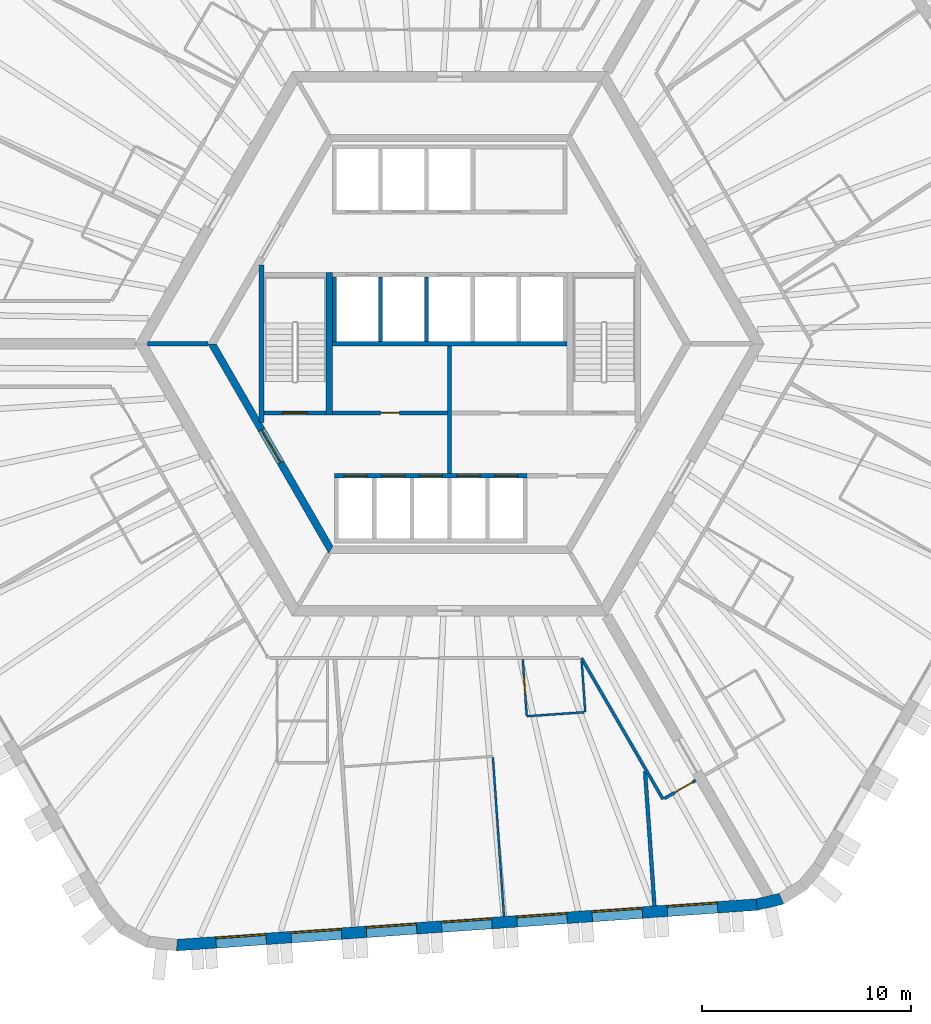
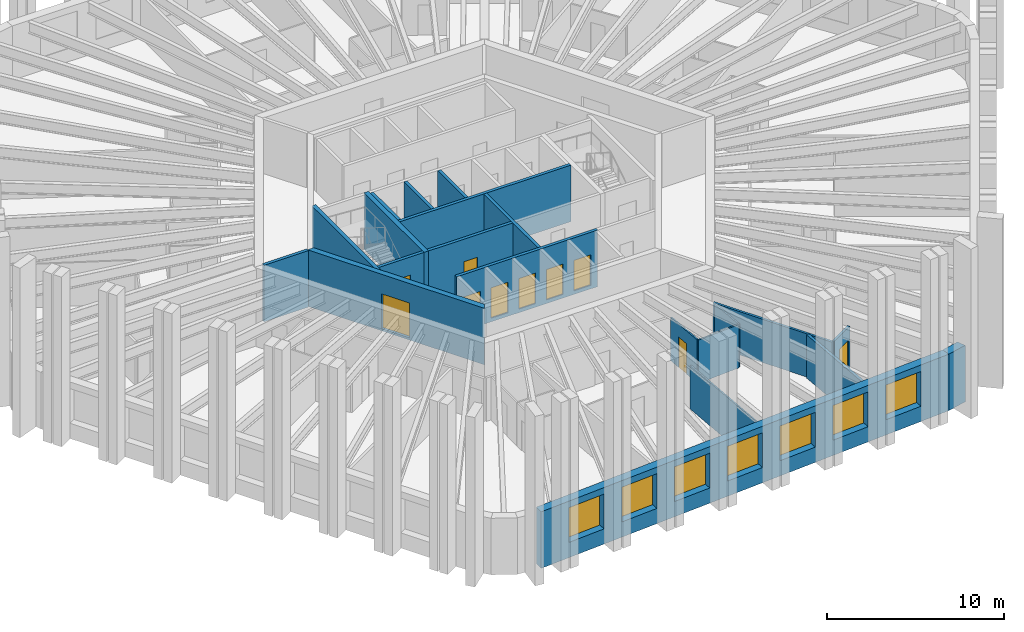
# One storey, part 4 of 11: 21 walls, 10 doors, 7 windows, 17 openings.
"""IFC4 building model written with IfcOpenShell, lengths in metres."""

from ifc_helpers import new_model, si_unit, direction, frame, frame_2d, origin, place, context, subcontext, project, spatial, polyline, rectangle, outline, extrude, material, layer, layer_set, type_object, element, fill, save


model = new_model("IFC4")

# Units and contexts
model_context = context("Model", 3, precision=1e-05, world=origin(), true_north=direction((0.0, 1.0)))
body_context = subcontext(model_context, "Body", "Model", "MODEL_VIEW")
ifc_project = project(units=[si_unit("LENGTHUNIT", "METRE"), si_unit("AREAUNIT", "SQUARE_METRE"), si_unit("VOLUMEUNIT", "CUBIC_METRE"), si_unit("PLANEANGLEUNIT", "RADIAN"), si_unit("MASSUNIT", "GRAM", prefix="KILO")], contexts=[model_context])

# Site, building, storey
site_placement = place(None, origin())
site = spatial("IfcSite", under=ifc_project, at=site_placement, CompositionType="ELEMENT")
building_placement = place(site_placement, origin())
building = spatial("IfcBuilding", under=site, at=building_placement, Name="Tarnside Tower", CompositionType="ELEMENT")
storey_placement = place(building_placement, frame((0.0, 0.0, 183.89990234375)))
storey = spatial("IfcBuildingStorey", under=building, at=storey_placement, Name="L43", CompositionType="ELEMENT", Elevation=183.89990234375)

# Walls
ifc_material_1 = material(Name="Gypsum board partition on steel studs", Category="steel")
ifc_layer_1 = layer(ifc_material_1, 0.10009765625)
ifc_layer_set_1 = layer_set([ifc_layer_1], Name="Bathroom wall 100")
wall_type_1 = type_object("IfcWallType", Name="Bathroom wall 100", PredefinedType="PARTITIONING", material=ifc_layer_set_1)
wall_1_placement = place(storey_placement, frame((6.30517578125, -15.170654296875, 0.0), z_axis=(0.0, 0.0, 1.0), x_axis=(0.069661348173, -0.99757069753, 0.0)))
element("IfcWall", 1, at=wall_1_placement, inside=storey, type_object=wall_type_1, Name="Bathroom wall 14094", PredefinedType="PARTITIONING", context=body_context, shape_type="SweptSolid", body=[
    extrude(rectangle(XDim=2.418212890625, YDim=0.10009765625, at=frame_2d((1.208984375, 0.0))), origin(), (0.0, 0.0, 1.0), 2.98779296875),
])
wall_2_placement = place(storey_placement, frame((6.423828125, -17.58642578125, 0.0), z_axis=(0.0, 0.0, 1.0), x_axis=(-0.997562182015, -0.069783185748, 0.0)))
element("IfcWall", 2, at=wall_2_placement, inside=storey, type_object=wall_type_1, Name="Bathroom wall 14095", PredefinedType="PARTITIONING", context=body_context, shape_type="SweptSolid", body=[
    extrude(rectangle(XDim=2.749755859375, YDim=0.10009765625, at=frame_2d((1.375, 0.0))), origin(), (0.0, 0.0, 1.0), 2.98779296875),
])

# Wall, opening, door
wall_3_placement = place(storey_placement, frame((3.677001953125, -17.728271484375, 0.0), z_axis=(0.0, 0.0, 1.0), x_axis=(-0.069759707979, 0.997563824095, 0.0)))
wall_3 = element("IfcWall", 3, at=wall_3_placement, inside=storey, type_object=wall_type_1, Name="Bathroom wall 14096", PredefinedType="PARTITIONING", context=body_context, shape_type="SweptSolid", body=[
    extrude(rectangle(XDim=2.659912109375, YDim=0.10009765625, at=frame_2d((1.330078125, 0.0))), origin(), (0.0, 0.0, 1.0), 2.98779296875),
])
opening_1_placement = place(wall_3_placement, frame((1.050048828125, 0.0, 0.0)))
opening_1 = element("IfcOpeningElement", 4, at=opening_1_placement, cuts=wall_3, Name="Opening D-B1", PredefinedType="OPENING", context=body_context, shape_type="SweptSolid", body=[
    extrude(rectangle(XDim=0.800048828125, YDim=2.10009765625, at=frame_2d((0.39990234375, 1.050048828125))), frame((0.0, 0.06005859375, 0.0), z_axis=(0.0, -1.0, 0.0), x_axis=(1.0, 0.0, 0.0)), (0.0, 0.0, 1.0), 0.1201171875),
])
ifc_material_2 = material(Name="Timber door leaf", Category="wood")
door_type_1 = type_object("IfcDoorType", Name="Bathroom door 800", OperationType="NOTDEFINED", PredefinedType="DOOR", material=ifc_material_2)
door_1_placement = place(opening_1_placement, origin())
door_1 = element("IfcDoor", 5, at=door_1_placement, inside=storey, type_object=door_type_1, Name="Bathroom door 14022", OperationType="SINGLE_SWING_LEFT", OverallHeight=2.10009765625, OverallWidth=0.800048828125, PredefinedType="DOOR", context=body_context, shape_type="SweptSolid", body=[
    extrude(rectangle(XDim=0.800048828125, YDim=2.10009765625, at=frame_2d((0.39990234375, 1.050048828125))), frame((0.0, 0.02490234375, 0.0), z_axis=(0.0, -1.0, 0.0), x_axis=(1.0, 0.0, 0.0)), (0.0, 0.0, 1.0), 0.050048828125),
])
fill(opening_1, door_1)

ifc_material_3 = material(Name="Concrete C50/60", Category="concrete")
ifc_layer_2 = layer(ifc_material_3, 0.35009765625)
ifc_layer_set_2 = layer_set([ifc_layer_2], Name="Core block wall 350 C50/60")
wall_type_2 = type_object("IfcWallType", Name="Core block wall 350 C50/60", PredefinedType="SHEAR", material=ifc_layer_set_2)
wall_4_placement = place(storey_placement, frame((-11.344970703125, 0.0, -0.14990234375), z_axis=(0.0, 0.0, 1.0), x_axis=(0.499995046907, -0.866028263435, 0.0)))
wall_4 = element("IfcWall", 6, at=wall_4_placement, inside=storey, type_object=wall_type_2, Name="L43 core block wall face 3", PredefinedType="SHEAR", context=body_context, shape_type="SweptSolid", body=[
    extrude(outline(polyline([(-0.10107421875, -0.175048828125), (11.44580078125, -0.175048828125), (11.24365234375, 0.175048828125), (0.10107421875, 0.175048828125), (-0.10107421875, -0.175048828125)])), origin(), (0.0, 0.0, 1.0), 3.89990234375),
])
opening_2_placement = place(wall_4_placement, frame((4.74365234375, 0.0, 0.14990234375)))
opening_2 = element("IfcOpeningElement", 7, at=opening_2_placement, cuts=wall_4, Name="Opening CD-FFL", PredefinedType="OPENING", context=body_context, shape_type="SweptSolid", body=[
    extrude(rectangle(XDim=1.800048828125, YDim=2.39990234375, at=frame_2d((0.89990234375, 1.199951171875))), frame((0.0, 0.18505859375, 0.0), z_axis=(0.0, -1.0, 0.0), x_axis=(1.0, 0.0, 0.0)), (0.0, 0.0, 1.0), 0.3701171875),
])
ifc_material_4 = material(Name="Steel fire door", Category="steel")
door_type_2 = type_object("IfcDoorType", Name="Firefighting lobby double door FD60S 1800x2400", OperationType="NOTDEFINED", PredefinedType="DOOR", material=ifc_material_4)
door_2_placement = place(opening_2_placement, origin())
door_2 = element("IfcDoor", 8, at=door_2_placement, inside=storey, type_object=door_type_2, Name="L43 lobby block door P3", OperationType="DOUBLE_DOOR_SINGLE_SWING", OverallHeight=2.39990234375, OverallWidth=1.800048828125, PredefinedType="DOOR", context=body_context, shape_type="SweptSolid", body=[
    extrude(rectangle(XDim=1.800048828125, YDim=2.39990234375, at=frame_2d((0.89990234375, 1.199951171875))), frame((0.0, 0.02490234375, 0.0), z_axis=(0.0, -1.0, 0.0), x_axis=(1.0, 0.0, 0.0)), (0.0, 0.0, 1.0), 0.050048828125),
])
fill(opening_2, door_2)

ifc_material_5 = material(Name="Concrete C40/50", Category="concrete")
ifc_layer_3 = layer(ifc_material_5, 0.199951171875)
ifc_layer_set_3 = layer_set([ifc_layer_3], Name="Core room partition 200 C40/50")
wall_type_3 = type_object("IfcWallType", Name="Core room partition 200 C40/50", PredefinedType="PARTITIONING", material=ifc_layer_set_3)
wall_5_placement = place(storey_placement, frame((-5.60009765625, -3.300048828125, 0.0), z_axis=(0.0, 0.0, 1.0), x_axis=(1.0, 0.0, 0.0)))
wall_5 = element("IfcWall", 9, at=wall_5_placement, inside=storey, type_object=wall_type_3, Name="L43 core partition W3", PredefinedType="PARTITIONING", context=body_context, shape_type="SweptSolid", body=[
    extrude(rectangle(XDim=5.5, YDim=0.199951171875, at=frame_2d((2.75, 0.0))), origin(), (0.0, 0.0, 1.0), 3.650146484375),
])
opening_3_placement = place(wall_5_placement, frame((2.300048828125, 0.0, 0.0)))
opening_3 = element("IfcOpeningElement", 10, at=opening_3_placement, cuts=wall_5, Name="Opening CD-room", PredefinedType="OPENING", context=body_context, shape_type="SweptSolid", body=[
    extrude(rectangle(XDim=0.89990234375, YDim=2.10009765625, at=frame_2d((0.449951171875, 1.050048828125))), frame((0.0, 0.10986328125, 0.0), z_axis=(0.0, -1.0, 0.0), x_axis=(1.0, 0.0, 0.0)), (0.0, 0.0, 1.0), 0.219970703125),
])
door_type_3 = type_object("IfcDoorType", Name="Room door FD60 900x2100", OperationType="NOTDEFINED", PredefinedType="DOOR", material=ifc_material_4)
door_3_placement = place(opening_3_placement, origin())
door_3 = element("IfcDoor", 11, at=door_3_placement, inside=storey, type_object=door_type_3, Name="L43 core room door W3D", OperationType="SINGLE_SWING_LEFT", OverallHeight=2.10009765625, OverallWidth=0.89990234375, PredefinedType="DOOR", context=body_context, shape_type="SweptSolid", body=[
    extrude(rectangle(XDim=0.89990234375, YDim=2.10009765625, at=frame_2d((0.449951171875, 1.050048828125))), frame((0.0, 0.02490234375, 0.0), z_axis=(0.0, -1.0, 0.0), x_axis=(1.0, 0.0, 0.0)), (0.0, 0.0, 1.0), 0.050048828125),
])
fill(opening_3, door_3)

# Walls
wall_6_placement = place(storey_placement, frame((0.0, -6.199951171875, 0.0), z_axis=(0.0, 0.0, 1.0), x_axis=(0.0, 1.0, 0.0)))
element("IfcWall", 12, at=wall_6_placement, inside=storey, type_object=wall_type_3, Name="L43 core partition X0", PredefinedType="PARTITIONING", context=body_context, shape_type="SweptSolid", body=[
    extrude(rectangle(XDim=6.099853515625, YDim=0.199951171875, at=frame_2d((3.0498046875, 0.0))), origin(), (0.0, 0.0, 1.0), 3.650146484375),
])
ifc_layer_4 = layer(ifc_material_1, 0.14990234375)
ifc_layer_set_4 = layer_set([ifc_layer_4], Name="Corridor wall 150 EI 60")
wall_type_4 = type_object("IfcWallType", Name="Corridor wall 150 EI 60", PredefinedType="PARTITIONING", material=ifc_layer_set_4)
wall_7_placement = place(storey_placement, frame((6.293212890625, -15.0, 0.0), z_axis=(0.0, 0.0, 1.0), x_axis=(0.499980313799, -0.86603676932, 0.0)))
element("IfcWall", 13, at=wall_7_placement, inside=storey, type_object=wall_type_4, Name="Corridor wall 14031", PredefinedType="PARTITIONING", context=body_context, shape_type="SweptSolid", body=[
    extrude(rectangle(XDim=7.785888671875, YDim=0.14990234375, at=frame_2d((3.89306640625, 0.0))), origin(), (0.0, 0.0, 1.0), 2.98779296875),
])

# Wall, opening, door
wall_8_placement = place(storey_placement, frame((10.2509765625, -21.705322265625, 0.0), z_axis=(0.0, 0.0, 1.0), x_axis=(0.866013532718, 0.500020560727, 0.0)))
wall_8 = element("IfcWall", 14, at=wall_8_placement, inside=storey, type_object=wall_type_4, Name="Corridor wall 14034", PredefinedType="PARTITIONING", context=body_context, shape_type="SweptSolid", body=[
    extrude(rectangle(XDim=1.72509765625, YDim=0.14990234375, at=frame_2d((0.862548828125, 0.0))), origin(), (0.0, 0.0, 1.0), 2.98779296875),
])
opening_4_placement = place(wall_8_placement, frame((0.574951171875, 0.0, 0.0)))
opening_4 = element("IfcOpeningElement", 15, at=opening_4_placement, cuts=wall_8, Name="Opening D-E1", PredefinedType="OPENING", context=body_context, shape_type="SweptSolid", body=[
    extrude(rectangle(XDim=1.0, YDim=2.10009765625, at=frame_2d((0.5, 1.050048828125))), frame((0.0, 0.0849609375, 0.0), z_axis=(0.0, -1.0, 0.0), x_axis=(1.0, 0.0, 0.0)), (0.0, 0.0, 1.0), 0.169921875),
])
door_type_4 = type_object("IfcDoorType", Name="Unit entrance door 1000 FD30S", OperationType="NOTDEFINED", PredefinedType="DOOR", material=ifc_material_2)
door_4_placement = place(opening_4_placement, origin())
door_4 = element("IfcDoor", 16, at=door_4_placement, inside=storey, type_object=door_type_4, Name="Unit door 14024", OperationType="SINGLE_SWING_LEFT", OverallHeight=2.10009765625, OverallWidth=1.0, PredefinedType="DOOR", context=body_context, shape_type="SweptSolid", body=[
    extrude(rectangle(XDim=1.0, YDim=2.10009765625, at=frame_2d((0.5, 1.050048828125))), frame((0.0, 0.02490234375, 0.0), z_axis=(0.0, -1.0, 0.0), x_axis=(1.0, 0.0, 0.0)), (0.0, 0.0, 1.0), 0.050048828125),
])
fill(opening_4, door_4)

# Walls
ifc_layer_5 = layer(ifc_material_1, 0.179931640625)
ifc_layer_set_5 = layer_set([ifc_layer_5], Name="Demising wall 180 EI 60")
wall_type_5 = type_object("IfcWallType", Name="Demising wall 180 EI 60", PredefinedType="PARTITIONING", material=ifc_layer_set_5)
wall_9_placement = place(storey_placement, frame((9.777587890625, -26.833251953125, 0.0), z_axis=(0.0, 0.0, 1.0), x_axis=(-0.069733334443, 0.997565668048, 0.0)))
element("IfcWall", 17, at=wall_9_placement, inside=storey, type_object=wall_type_5, Name="Demising wall 14099", PredefinedType="PARTITIONING", context=body_context, shape_type="SweptSolid", body=[
    extrude(rectangle(XDim=6.44189453125, YDim=0.179931640625, at=frame_2d((3.220947265625, 0.0))), origin(), (0.0, 0.0, 1.0), 2.98779296875),
])
ifc_layer_6 = layer(ifc_material_5, 0.199951171875)
ifc_layer_set_6 = layer_set([ifc_layer_6], Name="Lift shaft wall 200 C40/50")
wall_type_6 = type_object("IfcWallType", Name="Lift shaft wall 200 C40/50", PredefinedType="SHEAR", material=ifc_layer_set_6)
wall_10_placement = place(storey_placement, frame((-5.60009765625, 0.0, -0.25), z_axis=(0.0, 0.0, 1.0), x_axis=(1.0, 0.0, 0.0)))
element("IfcWall", 18, at=wall_10_placement, inside=storey, type_object=wall_type_6, Name="L43 lift shaft back wall R2", PredefinedType="SHEAR", context=body_context, shape_type="SweptSolid", body=[
    extrude(rectangle(XDim=11.2001953125, YDim=0.199951171875, at=frame_2d((5.60009765625, 0.0))), origin(), (0.0, 0.0, 1.0), 3.900146484375),
])
for number, where, z_axis, x_axis, name in (
    (19, (-5.5, 0.10009765625, -0.25), (0.0, 0.0, 1.0), (0.0, 1.0, 0.0), "L43 lift shaft partition R21"),
    (20, (-3.300048828125, 0.10009765625, -0.25), (0.0, 0.0, 1.0), (0.0, 1.0, 0.0), "L43 lift shaft partition R22"),
    (21, (-1.10009765625, 0.10009765625, -0.25), (0.0, 0.0, 1.0), (0.0, 1.0, 0.0), "L43 lift shaft partition R23"),
):
    element("IfcWall", number, at=place(storey_placement, frame(where, z_axis=z_axis, x_axis=x_axis)), inside=storey, type_object=wall_type_6, Name=name, PredefinedType="SHEAR", context=body_context, shape_type="SweptSolid", body=[
        extrude(rectangle(XDim=3.099853515625, YDim=0.199951171875, at=frame_2d((1.5498046875, 0.0))), origin(), (0.0, 0.0, 1.0), 3.900146484375),
    ])

# Wall, openings, doors
wall_11_placement = place(storey_placement, frame((-5.5, -6.300048828125, -0.25), z_axis=(0.0, 0.0, 1.0), x_axis=(1.0, 0.0, 0.0)))
wall_11 = element("IfcWall", 22, at=wall_11_placement, inside=storey, type_object=wall_type_6, Name="L43 lift shaft front wall R4", PredefinedType="SHEAR", context=body_context, shape_type="SweptSolid", body=[
    extrude(rectangle(XDim=9.199951171875, YDim=0.199951171875, at=frame_2d((4.60009765625, 0.0))), origin(), (0.0, 0.0, 1.0), 3.900146484375),
])
opening_5_placement = place(wall_11_placement, frame((0.449951171875, 0.0, 0.25)))
opening_5 = element("IfcOpeningElement", 23, at=opening_5_placement, cuts=wall_11, Name="Opening LDF", PredefinedType="OPENING", context=body_context, shape_type="SweptSolid", body=[
    extrude(rectangle(XDim=1.10009765625, YDim=2.10009765625, at=frame_2d((0.550048828125, 1.050048828125))), frame((0.0, 0.10986328125, 0.0), z_axis=(0.0, -1.0, 0.0), x_axis=(1.0, 0.0, 0.0)), (0.0, 0.0, 1.0), 0.219970703125),
])
opening_6_placement = place(wall_11_placement, frame((2.25, 0.0, 0.25)))
opening_6 = element("IfcOpeningElement", 24, at=opening_6_placement, cuts=wall_11, Name="Opening LDF", PredefinedType="OPENING", context=body_context, shape_type="SweptSolid", body=[
    extrude(rectangle(XDim=1.10009765625, YDim=2.10009765625, at=frame_2d((0.550048828125, 1.050048828125))), frame((0.0, 0.10986328125, 0.0), z_axis=(0.0, -1.0, 0.0), x_axis=(1.0, 0.0, 0.0)), (0.0, 0.0, 1.0), 0.219970703125),
])
opening_7_placement = place(wall_11_placement, frame((4.050048828125, 0.0, 0.25)))
opening_7 = element("IfcOpeningElement", 25, at=opening_7_placement, cuts=wall_11, Name="Opening LDF", PredefinedType="OPENING", context=body_context, shape_type="SweptSolid", body=[
    extrude(rectangle(XDim=1.10009765625, YDim=2.10009765625, at=frame_2d((0.550048828125, 1.050048828125))), frame((0.0, 0.10986328125, 0.0), z_axis=(0.0, -1.0, 0.0), x_axis=(1.0, 0.0, 0.0)), (0.0, 0.0, 1.0), 0.219970703125),
])
opening_8_placement = place(wall_11_placement, frame((5.85009765625, 0.0, 0.25)))
opening_8 = element("IfcOpeningElement", 26, at=opening_8_placement, cuts=wall_11, Name="Opening LDF", PredefinedType="OPENING", context=body_context, shape_type="SweptSolid", body=[
    extrude(rectangle(XDim=1.10009765625, YDim=2.10009765625, at=frame_2d((0.550048828125, 1.050048828125))), frame((0.0, 0.10986328125, 0.0), z_axis=(0.0, -1.0, 0.0), x_axis=(1.0, 0.0, 0.0)), (0.0, 0.0, 1.0), 0.219970703125),
])
opening_9_placement = place(wall_11_placement, frame((7.64990234375, 0.0, 0.25)))
opening_9 = element("IfcOpeningElement", 27, at=opening_9_placement, cuts=wall_11, Name="Opening LDF", PredefinedType="OPENING", context=body_context, shape_type="SweptSolid", body=[
    extrude(rectangle(XDim=1.10009765625, YDim=2.10009765625, at=frame_2d((0.550048828125, 1.050048828125))), frame((0.0, 0.10986328125, 0.0), z_axis=(0.0, -1.0, 0.0), x_axis=(1.0, 0.0, 0.0)), (0.0, 0.0, 1.0), 0.219970703125),
])
ifc_material_6 = material(Name="Stainless steel", Category="steel")
door_type_5 = type_object("IfcDoorType", Name="Lift landing door 1100x2100 EI 120", OperationType="NOTDEFINED", PredefinedType="DOOR", material=ifc_material_6)
door_5_placement = place(opening_5_placement, origin())
door_5 = element("IfcDoor", 28, at=door_5_placement, inside=storey, type_object=door_type_5, Name="Firefighting lift 1 landing door L43", OperationType="SLIDING_TO_LEFT", OverallHeight=2.10009765625, OverallWidth=1.10009765625, PredefinedType="DOOR", context=body_context, shape_type="SweptSolid", body=[
    extrude(rectangle(XDim=1.10009765625, YDim=2.10009765625, at=frame_2d((0.550048828125, 1.050048828125))), frame((0.0, 0.02490234375, 0.0), z_axis=(0.0, -1.0, 0.0), x_axis=(1.0, 0.0, 0.0)), (0.0, 0.0, 1.0), 0.050048828125),
])
fill(opening_5, door_5)
door_6_placement = place(opening_6_placement, origin())
door_6 = element("IfcDoor", 29, at=door_6_placement, inside=storey, type_object=door_type_5, Name="Firefighting lift 2 landing door L43", OperationType="SLIDING_TO_LEFT", OverallHeight=2.10009765625, OverallWidth=1.10009765625, PredefinedType="DOOR", context=body_context, shape_type="SweptSolid", body=[
    extrude(rectangle(XDim=1.10009765625, YDim=2.10009765625, at=frame_2d((0.550048828125, 1.050048828125))), frame((0.0, 0.02490234375, 0.0), z_axis=(0.0, -1.0, 0.0), x_axis=(1.0, 0.0, 0.0)), (0.0, 0.0, 1.0), 0.050048828125),
])
fill(opening_6, door_6)
door_7_placement = place(opening_7_placement, origin())
door_7 = element("IfcDoor", 30, at=door_7_placement, inside=storey, type_object=door_type_5, Name="Firefighting lift 3 landing door L43", OperationType="SLIDING_TO_LEFT", OverallHeight=2.10009765625, OverallWidth=1.10009765625, PredefinedType="DOOR", context=body_context, shape_type="SweptSolid", body=[
    extrude(rectangle(XDim=1.10009765625, YDim=2.10009765625, at=frame_2d((0.550048828125, 1.050048828125))), frame((0.0, 0.02490234375, 0.0), z_axis=(0.0, -1.0, 0.0), x_axis=(1.0, 0.0, 0.0)), (0.0, 0.0, 1.0), 0.050048828125),
])
fill(opening_7, door_7)
door_8_placement = place(opening_8_placement, origin())
door_8 = element("IfcDoor", 31, at=door_8_placement, inside=storey, type_object=door_type_5, Name="Firefighting lift 4 landing door L43", OperationType="SLIDING_TO_LEFT", OverallHeight=2.10009765625, OverallWidth=1.10009765625, PredefinedType="DOOR", context=body_context, shape_type="SweptSolid", body=[
    extrude(rectangle(XDim=1.10009765625, YDim=2.10009765625, at=frame_2d((0.550048828125, 1.050048828125))), frame((0.0, 0.02490234375, 0.0), z_axis=(0.0, -1.0, 0.0), x_axis=(1.0, 0.0, 0.0)), (0.0, 0.0, 1.0), 0.050048828125),
])
fill(opening_8, door_8)
door_9_placement = place(opening_9_placement, origin())
door_9 = element("IfcDoor", 32, at=door_9_placement, inside=storey, type_object=door_type_5, Name="Firefighting lift 5 landing door L43", OperationType="SLIDING_TO_LEFT", OverallHeight=2.10009765625, OverallWidth=1.10009765625, PredefinedType="DOOR", context=body_context, shape_type="SweptSolid", body=[
    extrude(rectangle(XDim=1.10009765625, YDim=2.10009765625, at=frame_2d((0.550048828125, 1.050048828125))), frame((0.0, 0.02490234375, 0.0), z_axis=(0.0, -1.0, 0.0), x_axis=(1.0, 0.0, 0.0)), (0.0, 0.0, 1.0), 0.050048828125),
])
fill(opening_9, door_9)

# Wall
wall_12_placement = place(storey_placement, frame((-11.547119140625, 0.0, -0.14990234375), z_axis=(0.0, 0.0, 1.0), x_axis=(-1.0, 0.0, 0.0)))
element("IfcWall", 33, at=wall_12_placement, inside=storey, type_object=wall_type_6, Name="L43 core partition AR180", PredefinedType="SHEAR", context=body_context, shape_type="SweptSolid", body=[
    extrude(rectangle(XDim=2.88671875, YDim=0.199951171875, at=frame_2d((1.443359375, 0.0))), origin(), (0.0, 0.0, 1.0), 3.89990234375),
])

# Wall, opening, door
wall_13_placement = place(storey_placement, frame((-8.85009765625, -3.300048828125, -0.25), z_axis=(0.0, 0.0, 1.0), x_axis=(1.0, 0.0, 0.0)))
wall_13 = element("IfcWall", 34, at=wall_13_placement, inside=storey, type_object=wall_type_6, Name="L43 stair 2 enclosure cap wall s", PredefinedType="SHEAR", context=body_context, shape_type="SweptSolid", body=[
    extrude(rectangle(XDim=2.9501953125, YDim=0.199951171875, at=frame_2d((1.47509765625, 0.0))), origin(), (0.0, 0.0, 1.0), 3.900146484375),
])
opening_10_placement = place(wall_13_placement, frame((0.875, 0.0, 0.25)))
opening_10 = element("IfcOpeningElement", 35, at=opening_10_placement, cuts=wall_13, Name="Opening CD-STR", PredefinedType="OPENING", context=body_context, shape_type="SweptSolid", body=[
    extrude(rectangle(XDim=1.199951171875, YDim=2.39990234375, at=frame_2d((0.60009765625, 1.199951171875))), frame((0.0, 0.10986328125, 0.0), z_axis=(0.0, -1.0, 0.0), x_axis=(1.0, 0.0, 0.0)), (0.0, 0.0, 1.0), 0.219970703125),
])
door_type_6 = type_object("IfcDoorType", Name="Stair door FD60S 1200x2400", OperationType="NOTDEFINED", PredefinedType="DOOR", material=ifc_material_4)
door_10_placement = place(opening_10_placement, origin())
door_10 = element("IfcDoor", 36, at=door_10_placement, inside=storey, type_object=door_type_6, Name="L43 stair 2 door", OperationType="SINGLE_SWING_LEFT", OverallHeight=2.39990234375, OverallWidth=1.199951171875, PredefinedType="DOOR", context=body_context, shape_type="SweptSolid", body=[
    extrude(rectangle(XDim=1.199951171875, YDim=2.39990234375, at=frame_2d((0.60009765625, 1.199951171875))), frame((0.0, 0.02490234375, 0.0), z_axis=(0.0, -1.0, 0.0), x_axis=(1.0, 0.0, 0.0)), (0.0, 0.0, 1.0), 0.050048828125),
])
fill(opening_10, door_10)

# Walls
ifc_layer_7 = layer(ifc_material_1, 0.10009765625)
ifc_layer_set_7 = layer_set([ifc_layer_7], Name="Partition 100")
wall_type_7 = type_object("IfcWallType", Name="Partition 100", PredefinedType="PARTITIONING", material=ifc_layer_set_7)
wall_14_placement = place(storey_placement, frame((2.064453125, -19.745849609375, 0.0), z_axis=(0.0, 0.0, 1.0), x_axis=(0.069762387692, -0.997563636699, 0.0)))
element("IfcWall", 37, at=wall_14_placement, inside=storey, type_object=wall_type_7, Name="Partition wall 14098", PredefinedType="PARTITIONING", context=body_context, shape_type="SweptSolid", body=[
    extrude(rectangle(XDim=7.608154296875, YDim=0.10009765625, at=frame_2d((3.80419921875, 0.0))), origin(), (0.0, 0.0, 1.0), 2.98779296875),
])
ifc_layer_8 = layer(ifc_material_5, 0.25)
ifc_layer_set_8 = layer_set([ifc_layer_8], Name="Stair enclosure wall 250 C40/50")
wall_type_8 = type_object("IfcWallType", Name="Stair enclosure wall 250 C40/50", PredefinedType="SHEAR", material=ifc_layer_set_8)
wall_15_placement = place(storey_placement, frame((-8.97509765625, -3.7548828125, -0.25), z_axis=(0.0, 0.0, 1.0), x_axis=(0.0, 1.0, 0.0)))
element("IfcWall", 38, at=wall_15_placement, inside=storey, type_object=wall_type_8, Name="L43 stair 2 enclosure wall outer", PredefinedType="SHEAR", context=body_context, shape_type="SweptSolid", body=[
    extrude(rectangle(XDim=7.509765625, YDim=0.25, at=frame_2d((3.7548828125, 0.0))), origin(), (0.0, 0.0, 1.0), 3.900146484375),
])
ifc_layer_9 = layer(ifc_material_5, 0.300048828125)
ifc_layer_set_9 = layer_set([ifc_layer_9], Name="Stair enclosure wall 300 C40/50")
wall_type_9 = type_object("IfcWallType", Name="Stair enclosure wall 300 C40/50", PredefinedType="SHEAR", material=ifc_layer_set_9)
wall_16_placement = place(storey_placement, frame((-5.75, -3.39990234375, -0.25), z_axis=(0.0, 0.0, 1.0), x_axis=(0.0, 1.0, 0.0)))
element("IfcWall", 39, at=wall_16_placement, inside=storey, type_object=wall_type_9, Name="L43 stair 2 enclosure wall inner", PredefinedType="SHEAR", context=body_context, shape_type="SweptSolid", body=[
    extrude(rectangle(XDim=6.7998046875, YDim=0.300048828125, at=frame_2d((3.39990234375, 0.0))), origin(), (0.0, 0.0, 1.0), 3.900146484375),
])

# Wall, openings, windows
ifc_material_7 = material(Name="Facing brick", Category="masonry")
ifc_layer_10 = layer(ifc_material_7, 0.10205078125)
ifc_material_8 = material(Name="Concrete C60/75 precast", Category="concrete")
ifc_layer_11 = layer(ifc_material_8, 0.347900390625)
ifc_material_9 = material(Name="Mineral wool insulation")
ifc_layer_12 = layer(ifc_material_9, 0.10009765625)
ifc_layer_set_10 = layer_set([ifc_layer_10, ifc_layer_11, ifc_layer_12], Name="Tube wall 550 brick faced")
wall_type_10 = type_object("IfcWallType", Name="Tube wall 550 brick faced", PredefinedType="SOLIDWALL", material=ifc_layer_set_10)
wall_17_placement = place(storey_placement, frame((-13.0263671875, -28.70361328125, -0.14990234375), z_axis=(0.0, 0.0, 1.0), x_axis=(0.99756406806, 0.069756219185, 0.0)))
wall_17 = element("IfcWall", 40, at=wall_17_placement, inside=storey, type_object=wall_type_10, Name="Tube wall L43 F4 flush 12", PredefinedType="SOLIDWALL", context=body_context, shape_type="SweptSolid", body=[
    extrude(outline(polyline([(-0.025634765625, -0.27490234375), (27.7802734375, -0.27490234375), (27.7353515625, 0.27490234375), (0.025634765625, 0.27490234375), (-0.025634765625, -0.27490234375)])), origin(), (0.0, 0.0, 1.0), 3.89990234375),
])
opening_11_placement = place(wall_17_placement, frame((1.87890625, 0.0, 1.050048828125)))
opening_11 = element("IfcOpeningElement", 41, at=opening_11_placement, cuts=wall_17, Name="Opening WH", PredefinedType="OPENING", context=body_context, shape_type="SweptSolid", body=[
    extrude(rectangle(XDim=2.39990234375, YDim=2.39990234375, at=frame_2d((1.199951171875, 1.199951171875))), frame((0.0, 0.28515625, 0.0), z_axis=(0.0, -1.0, 0.0), x_axis=(1.0, 0.0, 0.0)), (0.0, 0.0, 1.0), 0.570068359375),
])
opening_12_placement = place(wall_17_placement, frame((5.47900390625, 0.0, 1.050048828125)))
opening_12 = element("IfcOpeningElement", 42, at=opening_12_placement, cuts=wall_17, Name="Opening WH", PredefinedType="OPENING", context=body_context, shape_type="SweptSolid", body=[
    extrude(rectangle(XDim=2.39990234375, YDim=2.39990234375, at=frame_2d((1.199951171875, 1.199951171875))), frame((0.0, 0.28515625, 0.0), z_axis=(0.0, -1.0, 0.0), x_axis=(1.0, 0.0, 0.0)), (0.0, 0.0, 1.0), 0.570068359375),
])
opening_13_placement = place(wall_17_placement, frame((9.078857421875, 0.0, 1.050048828125)))
opening_13 = element("IfcOpeningElement", 43, at=opening_13_placement, cuts=wall_17, Name="Opening WH", PredefinedType="OPENING", context=body_context, shape_type="SweptSolid", body=[
    extrude(rectangle(XDim=2.39990234375, YDim=2.39990234375, at=frame_2d((1.199951171875, 1.199951171875))), frame((0.0, 0.28515625, 0.0), z_axis=(0.0, -1.0, 0.0), x_axis=(1.0, 0.0, 0.0)), (0.0, 0.0, 1.0), 0.570068359375),
])
opening_14_placement = place(wall_17_placement, frame((12.678955078125, 0.0, 1.050048828125)))
opening_14 = element("IfcOpeningElement", 44, at=opening_14_placement, cuts=wall_17, Name="Opening WH", PredefinedType="OPENING", context=body_context, shape_type="SweptSolid", body=[
    extrude(rectangle(XDim=2.39990234375, YDim=2.39990234375, at=frame_2d((1.199951171875, 1.199951171875))), frame((0.0, 0.28515625, 0.0), z_axis=(0.0, -1.0, 0.0), x_axis=(1.0, 0.0, 0.0)), (0.0, 0.0, 1.0), 0.570068359375),
])
opening_15_placement = place(wall_17_placement, frame((16.27880859375, 0.0, 1.050048828125)))
opening_15 = element("IfcOpeningElement", 45, at=opening_15_placement, cuts=wall_17, Name="Opening WH", PredefinedType="OPENING", context=body_context, shape_type="SweptSolid", body=[
    extrude(rectangle(XDim=2.39990234375, YDim=2.39990234375, at=frame_2d((1.199951171875, 1.199951171875))), frame((0.0, 0.28515625, 0.0), z_axis=(0.0, -1.0, 0.0), x_axis=(1.0, 0.0, 0.0)), (0.0, 0.0, 1.0), 0.570068359375),
])
opening_16_placement = place(wall_17_placement, frame((19.87890625, 0.0, 1.050048828125)))
opening_16 = element("IfcOpeningElement", 46, at=opening_16_placement, cuts=wall_17, Name="Opening WH", PredefinedType="OPENING", context=body_context, shape_type="SweptSolid", body=[
    extrude(rectangle(XDim=2.39990234375, YDim=2.39990234375, at=frame_2d((1.199951171875, 1.199951171875))), frame((0.0, 0.28515625, 0.0), z_axis=(0.0, -1.0, 0.0), x_axis=(1.0, 0.0, 0.0)), (0.0, 0.0, 1.0), 0.570068359375),
])
opening_17_placement = place(wall_17_placement, frame((23.47900390625, 0.0, 1.050048828125)))
opening_17 = element("IfcOpeningElement", 47, at=opening_17_placement, cuts=wall_17, Name="Opening WH", PredefinedType="OPENING", context=body_context, shape_type="SweptSolid", body=[
    extrude(rectangle(XDim=2.39990234375, YDim=2.39990234375, at=frame_2d((1.199951171875, 1.199951171875))), frame((0.0, 0.28515625, 0.0), z_axis=(0.0, -1.0, 0.0), x_axis=(1.0, 0.0, 0.0)), (0.0, 0.0, 1.0), 0.570068359375),
])
ifc_material_10 = material(Name="Aluminium-framed double glazing", Category="aluminium")
window_type = type_object("IfcWindowType", Name="Hotel window 2400 x 2400", PartitioningType="DOUBLE_PANEL_VERTICAL", PredefinedType="WINDOW", material=ifc_material_10)
window_1_placement = place(opening_11_placement, frame((0.0, 0.205078125, 0.0)))
window_1 = element("IfcWindow", 48, at=window_1_placement, inside=storey, type_object=window_type, Name="E.WN.L43.F4.00", OverallHeight=2.39990234375, OverallWidth=2.39990234375, PartitioningType="DOUBLE_PANEL_VERTICAL", PredefinedType="WINDOW", context=body_context, shape_type="SweptSolid", body=[
    extrude(rectangle(XDim=2.39990234375, YDim=2.39990234375, at=frame_2d((1.199951171875, 1.199951171875))), frame((0.0, 0.030029296875, 0.0), z_axis=(0.0, -1.0, 0.0), x_axis=(1.0, 0.0, 0.0)), (0.0, 0.0, 1.0), 0.06005859375),
])
fill(opening_11, window_1)
window_2_placement = place(opening_12_placement, frame((0.0, 0.205078125, 0.0)))
window_2 = element("IfcWindow", 49, at=window_2_placement, inside=storey, type_object=window_type, Name="E.WN.L43.F4.01", OverallHeight=2.39990234375, OverallWidth=2.39990234375, PartitioningType="DOUBLE_PANEL_VERTICAL", PredefinedType="WINDOW", context=body_context, shape_type="SweptSolid", body=[
    extrude(rectangle(XDim=2.39990234375, YDim=2.39990234375, at=frame_2d((1.199951171875, 1.199951171875))), frame((0.0, 0.030029296875, 0.0), z_axis=(0.0, -1.0, 0.0), x_axis=(1.0, 0.0, 0.0)), (0.0, 0.0, 1.0), 0.06005859375),
])
fill(opening_12, window_2)
window_3_placement = place(opening_13_placement, frame((0.0, 0.205078125, 0.0)))
window_3 = element("IfcWindow", 50, at=window_3_placement, inside=storey, type_object=window_type, Name="E.WN.L43.F4.02", OverallHeight=2.39990234375, OverallWidth=2.39990234375, PartitioningType="DOUBLE_PANEL_VERTICAL", PredefinedType="WINDOW", context=body_context, shape_type="SweptSolid", body=[
    extrude(rectangle(XDim=2.39990234375, YDim=2.39990234375, at=frame_2d((1.199951171875, 1.199951171875))), frame((0.0, 0.030029296875, 0.0), z_axis=(0.0, -1.0, 0.0), x_axis=(1.0, 0.0, 0.0)), (0.0, 0.0, 1.0), 0.06005859375),
])
fill(opening_13, window_3)
window_4_placement = place(opening_14_placement, frame((0.0, 0.205078125, 0.0)))
window_4 = element("IfcWindow", 51, at=window_4_placement, inside=storey, type_object=window_type, Name="E.WN.L43.F4.03", OverallHeight=2.39990234375, OverallWidth=2.39990234375, PartitioningType="DOUBLE_PANEL_VERTICAL", PredefinedType="WINDOW", context=body_context, shape_type="SweptSolid", body=[
    extrude(rectangle(XDim=2.39990234375, YDim=2.39990234375, at=frame_2d((1.199951171875, 1.199951171875))), frame((0.0, 0.030029296875, 0.0), z_axis=(0.0, -1.0, 0.0), x_axis=(1.0, 0.0, 0.0)), (0.0, 0.0, 1.0), 0.06005859375),
])
fill(opening_14, window_4)
window_5_placement = place(opening_15_placement, frame((0.0, 0.205078125, 0.0)))
window_5 = element("IfcWindow", 52, at=window_5_placement, inside=storey, type_object=window_type, Name="E.WN.L43.F4.04", OverallHeight=2.39990234375, OverallWidth=2.39990234375, PartitioningType="DOUBLE_PANEL_VERTICAL", PredefinedType="WINDOW", context=body_context, shape_type="SweptSolid", body=[
    extrude(rectangle(XDim=2.39990234375, YDim=2.39990234375, at=frame_2d((1.199951171875, 1.199951171875))), frame((0.0, 0.030029296875, 0.0), z_axis=(0.0, -1.0, 0.0), x_axis=(1.0, 0.0, 0.0)), (0.0, 0.0, 1.0), 0.06005859375),
])
fill(opening_15, window_5)
window_6_placement = place(opening_16_placement, frame((0.0, 0.205078125, 0.0)))
window_6 = element("IfcWindow", 53, at=window_6_placement, inside=storey, type_object=window_type, Name="E.WN.L43.F4.05", OverallHeight=2.39990234375, OverallWidth=2.39990234375, PartitioningType="DOUBLE_PANEL_VERTICAL", PredefinedType="WINDOW", context=body_context, shape_type="SweptSolid", body=[
    extrude(rectangle(XDim=2.39990234375, YDim=2.39990234375, at=frame_2d((1.199951171875, 1.199951171875))), frame((0.0, 0.030029296875, 0.0), z_axis=(0.0, -1.0, 0.0), x_axis=(1.0, 0.0, 0.0)), (0.0, 0.0, 1.0), 0.06005859375),
])
fill(opening_16, window_6)
window_7_placement = place(opening_17_placement, frame((0.0, 0.205078125, 0.0)))
window_7 = element("IfcWindow", 54, at=window_7_placement, inside=storey, type_object=window_type, Name="E.WN.L43.F4.06", OverallHeight=2.39990234375, OverallWidth=2.39990234375, PartitioningType="DOUBLE_PANEL_VERTICAL", PredefinedType="WINDOW", context=body_context, shape_type="SweptSolid", body=[
    extrude(rectangle(XDim=2.39990234375, YDim=2.39990234375, at=frame_2d((1.199951171875, 1.199951171875))), frame((0.0, 0.030029296875, 0.0), z_axis=(0.0, -1.0, 0.0), x_axis=(1.0, 0.0, 0.0)), (0.0, 0.0, 1.0), 0.06005859375),
])
fill(opening_17, window_7)

# Wall
wall_18_placement = place(storey_placement, frame((14.663818359375, -26.767333984375, -0.14990234375), z_axis=(0.0, 0.0, 1.0), x_axis=(0.973063591128, 0.230536868247, 0.0)))
element("IfcWall", 55, at=wall_18_placement, inside=storey, type_object=wall_type_10, Name="Tube wall L43 F4 chord 13", PredefinedType="SOLIDWALL", context=body_context, shape_type="SweptSolid", body=[
    extrude(outline(polyline([(-0.0224609375, -0.27490234375), (1.25341796875, -0.27490234375), (1.1630859375, 0.27490234375), (0.0224609375, 0.27490234375), (-0.0224609375, -0.27490234375)])), origin(), (0.0, 0.0, 1.0), 3.89990234375),
])

save(model, "model.ifc")
